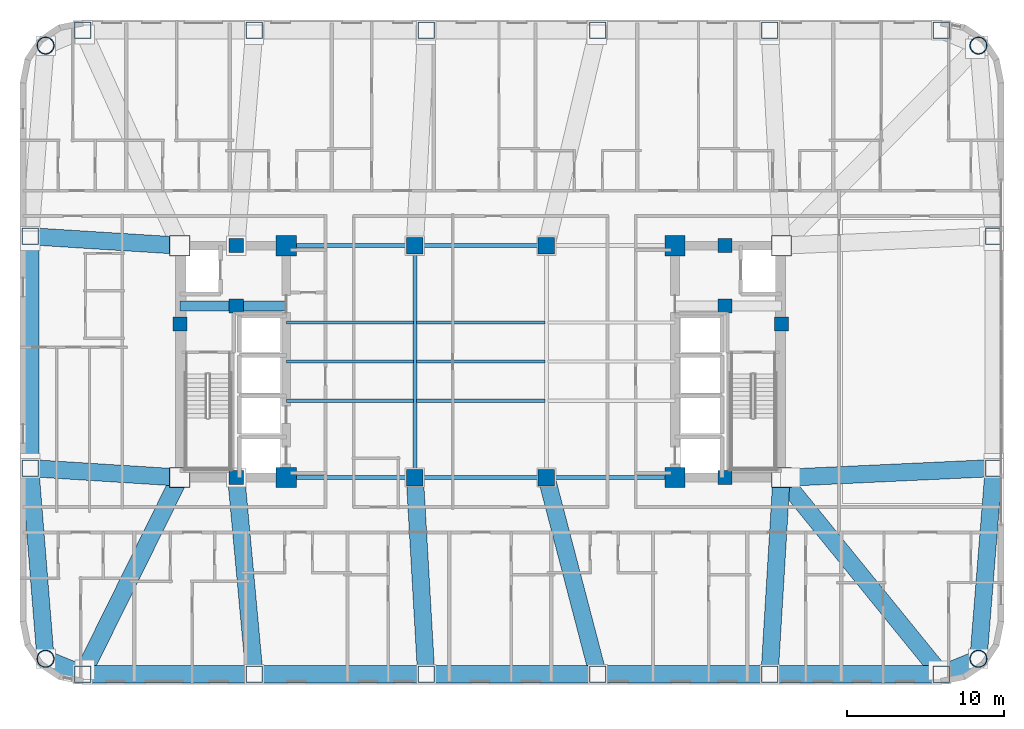
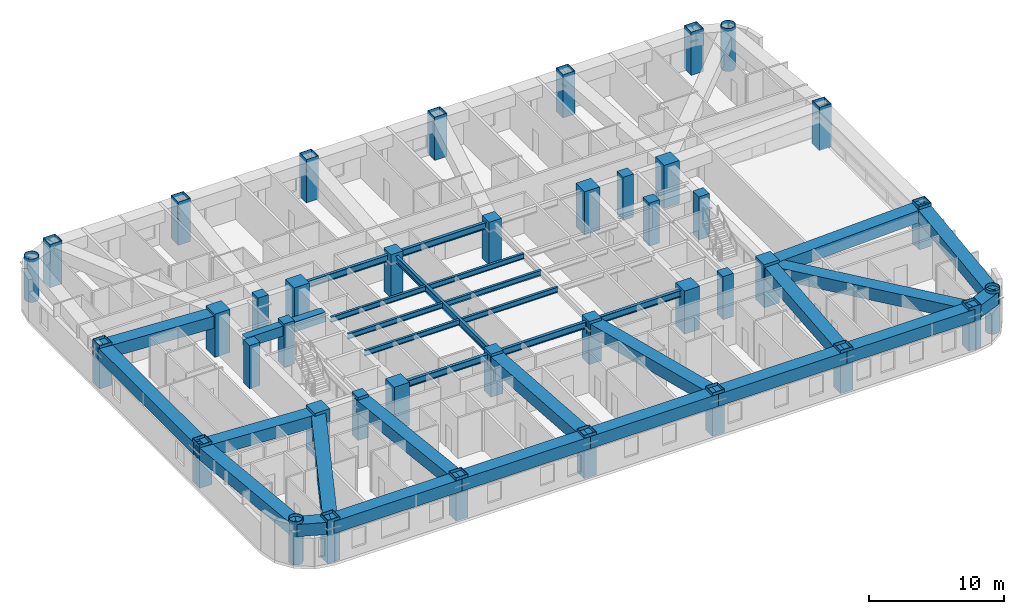
# One storey, part 1 of 16: 40 columns, 32 beams.
"""IFC4 building model written with IfcOpenShell, lengths in metres."""

import ifcopenshell
import ifcopenshell.guid

model = None  # the IFC model being written
_history = None  # IfcOwnerHistory: only IFC2X3 demands one
_inside = {}  # id of a spatial element -> (the spatial element, [elements in it])
_under = {}  # id of a project, library or spatial element -> (it, [spatial elements below it])
_declared = {}  # id of a project -> (the project, [libraries it declares])
_typed = {}  # id of a type object -> (the type object, [elements of that type])
_made_of = {}  # id of a material, layer set ... -> (it, [elements and type objects made of it])


def new_model(schema):
    """Start an empty IFC model of exactly this schema.

    Asked for "IFC4X3", IfcOpenShell would pick the latest addendum, in which some entities
    have other attributes; the version numbers below select the first issue.
    IFC2X3 requires an IfcOwnerHistory on every rooted entity: one is made here for all.
    """
    global model, _history
    if schema == "IFC4X3":
        model = ifcopenshell.file(schema_version=(4, 3, 0, 0))
    else:
        model = ifcopenshell.file(schema=schema)
    _inside.clear()
    _under.clear()
    _declared.clear()
    _typed.clear()
    _made_of.clear()
    _history = None
    if model.schema == "IFC2X3":
        org = make("IfcOrganization", Name="unknown")
        user = make(
            "IfcPersonAndOrganization",
            ThePerson=make("IfcPerson", FamilyName="unknown"),
            TheOrganization=org,
        )
        app = make(
            "IfcApplication",
            ApplicationDeveloper=org,
            Version="unknown",
            ApplicationFullName="unknown",
            ApplicationIdentifier="unknown",
        )
        _history = make(
            "IfcOwnerHistory",
            OwningUser=user,
            OwningApplication=app,
            ChangeAction="ADDED",
            CreationDate=0,
        )
    return model


def make(cls, **values):
    """One entity of the class cls with the attributes given. An attribute that is None is left unset."""
    return model.create_entity(
        cls, **{name: value for name, value in values.items() if value is not None}
    )


def rooted(cls, **values):
    """An entity with a GlobalId (a new one), such as an element, a storey or a relation."""
    return make(cls, GlobalId=ifcopenshell.guid.new(), OwnerHistory=_history, **values)


def si_unit(unit_type, name, prefix=None):
    """IfcSIUnit, for example si_unit("LENGTHUNIT", "METRE", prefix="MILLI")."""
    return make("IfcSIUnit", UnitType=unit_type, Prefix=prefix, Name=name)


def assignment(units):
    """IfcUnitAssignment: the units of a project."""
    return None if units is None else make("IfcUnitAssignment", Units=units)


def point(xyz):
    """IfcCartesianPoint."""
    return None if xyz is None else make("IfcCartesianPoint", Coordinates=xyz)


def direction(xyz):
    """IfcDirection."""
    return None if xyz is None else make("IfcDirection", DirectionRatios=xyz)


def frame(location, z_axis=None, x_axis=None):
    """IfcAxis2Placement3D, a coordinate frame: its origin and axes. An axis left out is left unset."""
    return make(
        "IfcAxis2Placement3D",
        Location=point(location),
        Axis=direction(z_axis),
        RefDirection=direction(x_axis),
    )


def frame_2d(location, x_axis=None):
    """IfcAxis2Placement2D, a coordinate frame in the plane: its origin and x axis."""
    return make(
        "IfcAxis2Placement2D", Location=point(location), RefDirection=direction(x_axis)
    )


def origin():
    """The frame at (0, 0, 0) with its axes left unset."""
    return frame((0.0, 0.0, 0.0))


def origin_2d():
    """The frame at (0, 0) in the plane with its x axis left unset."""
    return frame_2d((0.0, 0.0))


def place(relative_to, where):
    """IfcLocalPlacement: puts the frame where relative to a parent placement (None: the world)."""
    return make(
        "IfcLocalPlacement", PlacementRelTo=relative_to, RelativePlacement=where
    )


def context(
    kind, dimensions, precision=None, world=None, true_north=None, identifier=None
):
    """IfcGeometricRepresentationContext, for example the 3D "Model" context."""
    return make(
        "IfcGeometricRepresentationContext",
        ContextIdentifier=identifier,
        ContextType=kind,
        CoordinateSpaceDimension=dimensions,
        Precision=precision,
        WorldCoordinateSystem=world,
        TrueNorth=true_north,
    )


def subcontext(parent, identifier, kind, view, scale=None):
    """IfcGeometricRepresentationSubContext, for example "Body" below "Model"."""
    return make(
        "IfcGeometricRepresentationSubContext",
        ContextIdentifier=identifier,
        ContextType=kind,
        ParentContext=parent,
        TargetScale=scale,
        TargetView=view,
    )


def project(units=None, contexts=None):
    """IfcProject with its units and contexts."""
    return rooted(
        "IfcProject",
        Name="project",
        RepresentationContexts=contexts,
        UnitsInContext=assignment(units),
    )


def spatial(cls, under=None, at=None, **own):
    """A site, building, storey or space (cls), placed at a placement, below another one or the project."""
    s = rooted(cls, ObjectPlacement=at, **own)
    if under is not None:
        _under.setdefault(under.id(), (under, []))[1].append(s)
    return s


def profile(cls, at=None, kind="AREA", **sizes):
    """A parametric profile (cls). Its sizes go by their IFC names, for example OverallWidth=200.0."""
    return make(cls, ProfileType=kind, Position=at, **sizes)


def rectangle(**sizes):
    """IfcRectangleProfileDef."""
    return profile("IfcRectangleProfileDef", **sizes)


def hollow_rectangle(**sizes):
    """IfcRectangleHollowProfileDef."""
    return profile("IfcRectangleHollowProfileDef", **sizes)


def hollow_circle(**sizes):
    """IfcCircleHollowProfileDef."""
    return profile("IfcCircleHollowProfileDef", **sizes)


def i_section(**sizes):
    """IfcIShapeProfileDef."""
    return profile("IfcIShapeProfileDef", **sizes)


def extrude(swept, where, along, depth):
    """IfcExtrudedAreaSolid: the profile swept, set in the frame where, extruded along a direction by depth."""
    return make(
        "IfcExtrudedAreaSolid",
        SweptArea=swept,
        Position=where,
        ExtrudedDirection=direction(along),
        Depth=depth,
    )


def shape(context_of_items, identifier, shape_type, items):
    """IfcShapeRepresentation: the items that make up one representation, for example the "Body"."""
    return make(
        "IfcShapeRepresentation",
        ContextOfItems=context_of_items,
        RepresentationIdentifier=identifier,
        RepresentationType=shape_type,
        Items=items,
    )


def material(Name=None, Category=None):
    """IfcMaterial."""
    return make("IfcMaterial", Name=Name, Category=Category)


def material_profile(
    of_material, cross_section, Name=None, Category=None, Priority=None
):
    """IfcMaterialProfile: a cross section and its material."""
    return make(
        "IfcMaterialProfile",
        Name=Name,
        Material=of_material,
        Profile=cross_section,
        Priority=Priority,
        Category=Category,
    )


def profile_set(profiles, Name=None, composite=None):
    """IfcMaterialProfileSet."""
    return make(
        "IfcMaterialProfileSet",
        Name=Name,
        MaterialProfiles=profiles,
        CompositeProfile=composite,
    )


def made_of(thing, what):
    """Note that an element or type object is made of a material, layer set ...; save() writes the relation."""
    if what is not None:
        _made_of.setdefault(what.id(), (what, []))[1].append(thing)
    return thing


def type_object(cls, material=None, **own):
    """A type object (cls), such as IfcWallType, which elements share."""
    return made_of(rooted(cls, **own), material)


def element(
    cls,
    number,
    at=None,
    inside=None,
    cuts=None,
    type_object=None,
    material=None,
    context=None,
    identifier="Body",
    shape_type=None,
    held_by="IfcProductDefinitionShape",
    body=None,
    shapes=None,
    **own,
):
    """One element of the class cls, such as IfcWall. Its Tag is "e" and its number.

    at: its placement. inside: the storey or other place that contains it. cuts: it is an
    opening in that element (IfcRelVoidsElement). A single representation is given by context,
    identifier, shape_type and body (its items); several are given by shapes. held_by: the class
    of the entity that holds the representations. save() writes the other relations.
    """
    e = rooted(cls, Tag="e%d" % number, ObjectPlacement=at, **own)
    if body is not None:
        shapes = [shape(context, identifier, shape_type, body)]
    if shapes is not None:
        e.Representation = make(held_by, Representations=shapes)
    if inside is not None:
        _inside.setdefault(inside.id(), (inside, []))[1].append(e)
    if cuts is not None:
        rooted(
            "IfcRelVoidsElement", RelatingBuildingElement=cuts, RelatedOpeningElement=e
        )
    if type_object is not None:
        _typed.setdefault(type_object.id(), (type_object, []))[1].append(e)
    return made_of(e, material)


def aggregate(whole, parts):
    """IfcRelAggregates: a whole, such as a stair, and the parts it consists of."""
    return rooted("IfcRelAggregates", RelatingObject=whole, RelatedObjects=parts)


def save(model, path):
    """Write the relations noted so far, then the file.

    IfcRelAggregates (storeys below a building ...), IfcRelContainedInSpatialStructure (elements
    in a storey), IfcRelDefinesByType, IfcRelAssociatesMaterial and IfcRelDeclares: one each for
    every whole, place, type object, material and project.
    """
    for whole, parts in _under.values():
        aggregate(whole, parts)
    for where, things in _inside.values():
        rooted(
            "IfcRelContainedInSpatialStructure",
            RelatedElements=things,
            RelatingStructure=where,
        )
    for kind, things in _typed.values():
        rooted("IfcRelDefinesByType", RelatedObjects=things, RelatingType=kind)
    for what, things in _made_of.values():
        rooted("IfcRelAssociatesMaterial", RelatedObjects=things, RelatingMaterial=what)
    for by, libraries in _declared.values():
        rooted("IfcRelDeclares", RelatingContext=by, RelatedDefinitions=libraries)
    model.write(path)


model = new_model("IFC4")

# Units and contexts
model_context = context("Model", 3, precision=1e-05, world=origin(), true_north=direction((0.0, 1.0)))
body_context = subcontext(model_context, "Body", "Model", "MODEL_VIEW")
ifc_project = project(units=[si_unit("LENGTHUNIT", "METRE"), si_unit("AREAUNIT", "SQUARE_METRE"), si_unit("VOLUMEUNIT", "CUBIC_METRE"), si_unit("PLANEANGLEUNIT", "RADIAN"), si_unit("MASSUNIT", "GRAM", prefix="KILO")], contexts=[model_context])

# Site, building, storey
site_placement = place(None, origin())
site = spatial("IfcSite", under=ifc_project, at=site_placement, CompositionType="ELEMENT")
building_placement = place(site_placement, origin())
building = spatial("IfcBuilding", under=site, at=building_placement, Name="Voryun Gate Residences", CompositionType="ELEMENT")
storey_placement = place(building_placement, frame((0.0, 0.0, 89.699951171875)))
storey = spatial("IfcBuildingStorey", under=building, at=storey_placement, Name="L21", CompositionType="ELEMENT", Elevation=89.699951171875)

# Columns
ifc_material_1 = material(Name="Concrete C50/60", Category="concrete")
ifc_material_profile_1 = material_profile(ifc_material_1, rectangle(XDim=1.050048828125, YDim=1.050048828125, at=origin_2d()), Name="RC-1050x1050")
ifc_profile_set_1 = profile_set([ifc_material_profile_1], Name="Concrete C50/60")
column_type_1 = type_object("IfcColumnType", Name="COL_CORE_1050", PredefinedType="COLUMN", material=ifc_profile_set_1)
for number, where, z_axis, x_axis, name in (
    (1, (-4.199951171875, -7.39990234375, 0.0), (0.0, 0.0, 1.0), (1.0, 0.0, 0.0), "L21 Interior spine column SP-WS"),
    (2, (-4.199951171875, 7.39990234375, 0.0), (0.0, 0.0, 1.0), (1.0, 0.0, 0.0), "L21 Interior spine column SP-WN"),
    (3, (4.199951171875, -7.39990234375, 0.0), (0.0, 0.0, 1.0), (1.0, 0.0, 0.0), "L21 Interior spine column SP-ES"),
    (4, (4.199951171875, 7.39990234375, 0.0), (0.0, 0.0, 1.0), (1.0, 0.0, 0.0), "L21 Interior spine column SP-EN"),
):
    element("IfcColumn", number, at=place(storey_placement, frame(where, z_axis=z_axis, x_axis=x_axis)), inside=storey, type_object=column_type_1, Name=name, PredefinedType="COLUMN", context=body_context, shape_type="SweptSolid", body=[
        extrude(rectangle(XDim=1.050048828125, YDim=1.050048828125, at=origin_2d()), origin(), (0.0, 0.0, 1.0), 3.900146484375),
    ])
ifc_material_2 = material(Name="Concrete C50/60", Category="concrete")
ifc_material_profile_2 = material_profile(ifc_material_2, rectangle(XDim=0.89990234375, YDim=0.89990234375, at=origin_2d()), Name="RC-900x900")
ifc_profile_set_2 = profile_set([ifc_material_profile_2], Name="Concrete C50/60")
column_type_2 = type_object("IfcColumnType", Name="COL_CORE_900", PredefinedType="COLUMN", material=ifc_profile_set_2)
for number, where, z_axis, x_axis, name in (
    (5, (-19.199951171875, 2.39990234375, 0.0), (0.0, 0.0, 1.0), (1.0, 0.0, 0.0), "L21 Core boundary column WC-MW"),
    (6, (-15.60009765625, -7.39990234375, 0.0), (0.0, 0.0, 1.0), (1.0, 0.0, 0.0), "L21 Core boundary column WC-SM"),
    (7, (-15.60009765625, 7.39990234375, 0.0), (0.0, 0.0, 1.0), (1.0, 0.0, 0.0), "L21 Core boundary column WC-NM"),
    (8, (-15.60009765625, 3.550048828125, 0.0), (0.0, 0.0, 1.0), (1.0, 0.0, 0.0), "L21 Core boundary column WC-MM"),
    (9, (15.60009765625, 3.550048828125, 0.0), (0.0, 0.0, 1.0), (1.0, 0.0, 0.0), "L21 Core boundary column EC-MM"),
    (10, (15.60009765625, -7.39990234375, 0.0), (0.0, 0.0, 1.0), (1.0, 0.0, 0.0), "L21 Core boundary column EC-SM"),
    (11, (15.60009765625, 7.39990234375, 0.0), (0.0, 0.0, 1.0), (1.0, 0.0, 0.0), "L21 Core boundary column EC-NM"),
    (12, (19.199951171875, 2.39990234375, 0.0), (0.0, 0.0, 1.0), (1.0, 0.0, 0.0), "L21 Core boundary column EC-ME"),
):
    element("IfcColumn", number, at=place(storey_placement, frame(where, z_axis=z_axis, x_axis=x_axis)), inside=storey, type_object=column_type_2, Name=name, PredefinedType="COLUMN", context=body_context, shape_type="SweptSolid", body=[
        extrude(rectangle(XDim=0.89990234375, YDim=0.89990234375, at=origin_2d()), origin(), (0.0, 0.0, 1.0), 3.900146484375),
    ])
ifc_material_3 = material(Name="Steel SM420", Category="steel")
ifc_material_profile_3 = material_profile(ifc_material_3, hollow_circle(Radius=0.550048828125, WallThickness=0.035888671875, at=origin_2d()), Name="CHS-1100x36")
ifc_profile_set_3 = profile_set([ifc_material_profile_3], Name="Steel SM420")
column_type_3 = type_object("IfcColumnType", Name="COL_CRN_1100", PredefinedType="COLUMN", material=ifc_profile_set_3)
for number, where, z_axis, x_axis, name in (
    (13, (31.768798828125, -18.96875, 0.0), (0.0, 0.0, 1.0), (1.0, 0.0, 0.0), "L21 Exoskeleton column CSE"),
    (14, (31.768798828125, 20.168701171875, 0.0), (0.0, 0.0, 1.0), (1.0, 0.0, 0.0), "L21 Exoskeleton column CNE"),
    (15, (-27.768798828125, 20.168701171875, 0.0), (0.0, 0.0, 1.0), (1.0, 0.0, 0.0), "L21 Exoskeleton column CNW"),
    (16, (-27.768798828125, -18.96875, 0.0), (0.0, 0.0, 1.0), (1.0, 0.0, 0.0), "L21 Exoskeleton column CSW"),
):
    element("IfcColumn", number, at=place(storey_placement, frame(where, z_axis=z_axis, x_axis=x_axis)), inside=storey, type_object=column_type_3, Name=name, PredefinedType="COLUMN", context=body_context, shape_type="SweptSolid", body=[
        extrude(hollow_circle(Radius=0.550048828125, WallThickness=0.035888671875, at=origin_2d()), origin(), (0.0, 0.0, 1.0), 3.900146484375),
    ])
ifc_material_4 = material(Name="Steel SM420", Category="steel")
ifc_material_profile_4 = material_profile(ifc_material_4, hollow_rectangle(XDim=1.050048828125, YDim=1.050048828125, WallThickness=0.035888671875, at=origin_2d()), Name="BOX-1050x1050x36")
ifc_profile_set_4 = profile_set([ifc_material_profile_4], Name="Steel SM420")
column_type_4 = type_object("IfcColumnType", Name="COL_EXO_B2", PredefinedType="COLUMN", material=ifc_profile_set_4)
for number, where, z_axis, x_axis, name in (
    (17, (-25.39990234375, -19.949951171875, 0.0), (0.0, 0.0, 1.0), (1.0, 0.0, 0.0), "L21 Exoskeleton column S1"),
    (18, (-14.43994140625, -19.949951171875, 0.0), (0.0, 0.0, 1.0), (1.0, 0.0, 0.0), "L21 Exoskeleton column S2"),
    (19, (-3.47998046875, -19.949951171875, 0.0), (0.0, 0.0, 1.0), (1.0, 0.0, 0.0), "L21 Exoskeleton column S3"),
    (20, (7.47998046875, -19.949951171875, 0.0), (0.0, 0.0, 1.0), (1.0, 0.0, 0.0), "L21 Exoskeleton column S4"),
    (21, (18.43994140625, -19.949951171875, 0.0), (0.0, 0.0, 1.0), (1.0, 0.0, 0.0), "L21 Exoskeleton column S5"),
    (22, (29.39990234375, -19.949951171875, 0.0), (0.0, 0.0, 1.0), (1.0, 0.0, 0.0), "L21 Exoskeleton column S6"),
    (23, (32.75, -6.798095703125, 0.0), (0.0, 0.0, 1.0), (1.0, 0.0, 0.0), "L21 Exoskeleton column E1"),
    (24, (32.75, 7.998046875, 0.0), (0.0, 0.0, 1.0), (1.0, 0.0, 0.0), "L21 Exoskeleton column E2"),
    (25, (29.39990234375, 21.14990234375, 0.0), (0.0, 0.0, 1.0), (1.0, 0.0, 0.0), "L21 Exoskeleton column N1"),
    (26, (18.43994140625, 21.14990234375, 0.0), (0.0, 0.0, 1.0), (1.0, 0.0, 0.0), "L21 Exoskeleton column N2"),
    (27, (7.47998046875, 21.14990234375, 0.0), (0.0, 0.0, 1.0), (1.0, 0.0, 0.0), "L21 Exoskeleton column N3"),
    (28, (-3.47998046875, 21.14990234375, 0.0), (0.0, 0.0, 1.0), (1.0, 0.0, 0.0), "L21 Exoskeleton column N4"),
    (29, (-14.43994140625, 21.14990234375, 0.0), (0.0, 0.0, 1.0), (1.0, 0.0, 0.0), "L21 Exoskeleton column N5"),
    (30, (-25.39990234375, 21.14990234375, 0.0), (0.0, 0.0, 1.0), (1.0, 0.0, 0.0), "L21 Exoskeleton column N6"),
    (31, (-28.75, 7.998046875, 0.0), (0.0, 0.0, 1.0), (1.0, 0.0, 0.0), "L21 Exoskeleton column W1"),
    (32, (-28.75, -6.798095703125, 0.0), (0.0, 0.0, 1.0), (1.0, 0.0, 0.0), "L21 Exoskeleton column W2"),
):
    element("IfcColumn", number, at=place(storey_placement, frame(where, z_axis=z_axis, x_axis=x_axis)), inside=storey, type_object=column_type_4, Name=name, PredefinedType="COLUMN", context=body_context, shape_type="SweptSolid", body=[
        extrude(hollow_rectangle(XDim=1.050048828125, YDim=1.050048828125, WallThickness=0.035888671875, at=origin_2d()), origin(), (0.0, 0.0, 1.0), 3.900146484375),
    ])
ifc_material_5 = material(Name="Concrete C60/75", Category="concrete")
ifc_material_profile_5 = material_profile(ifc_material_5, rectangle(XDim=1.300048828125, YDim=1.300048828125, at=origin_2d()), Name="RC-1300x1300")
ifc_profile_set_5 = profile_set([ifc_material_profile_5], Name="Concrete C60/75")
column_type_5 = type_object("IfcColumnType", Name="COL_MEGA_1300", PredefinedType="COLUMN", material=ifc_profile_set_5)
for number, where, z_axis, x_axis, name in (
    (33, (-19.199951171875, -7.39990234375, 0.0), (0.0, 0.0, 1.0), (1.0, 0.0, 0.0), "L21 Core boundary column WC-SW"),
    (34, (-19.199951171875, 7.39990234375, 0.0), (0.0, 0.0, 1.0), (1.0, 0.0, 0.0), "L21 Core boundary column WC-NW"),
    (35, (-12.39990234375, -7.39990234375, 0.0), (0.0, 0.0, 1.0), (1.0, 0.0, 0.0), "L21 Core boundary column WC-SE"),
    (36, (-12.39990234375, 7.39990234375, 0.0), (0.0, 0.0, 1.0), (1.0, 0.0, 0.0), "L21 Core boundary column WC-NE"),
    (37, (12.39990234375, -7.39990234375, 0.0), (0.0, 0.0, 1.0), (1.0, 0.0, 0.0), "L21 Core boundary column EC-SW"),
    (38, (12.39990234375, 7.39990234375, 0.0), (0.0, 0.0, 1.0), (1.0, 0.0, 0.0), "L21 Core boundary column EC-NW"),
    (39, (19.199951171875, -7.39990234375, 0.0), (0.0, 0.0, 1.0), (1.0, 0.0, 0.0), "L21 Core boundary column EC-SE"),
    (40, (19.199951171875, 7.39990234375, 0.0), (0.0, 0.0, 1.0), (1.0, 0.0, 0.0), "L21 Core boundary column EC-NE"),
):
    element("IfcColumn", number, at=place(storey_placement, frame(where, z_axis=z_axis, x_axis=x_axis)), inside=storey, type_object=column_type_5, Name=name, PredefinedType="COLUMN", context=body_context, shape_type="SweptSolid", body=[
        extrude(rectangle(XDim=1.300048828125, YDim=1.300048828125, at=origin_2d()), origin(), (0.0, 0.0, 1.0), 3.900146484375),
    ])

# Beams
ifc_material_6 = material(Name="Steel SM420", Category="steel")
ifc_material_profile_6 = material_profile(ifc_material_6, hollow_rectangle(XDim=1.10009765625, YDim=1.10009765625, WallThickness=0.035888671875, at=origin_2d()), Name="BOX-1100x1100x36")
ifc_profile_set_6 = profile_set([ifc_material_profile_6], Name="Steel SM420")
beam_type_1 = type_object("IfcBeamType", Name="BM_ARCH_RIB", PredefinedType="USERDEFINED", material=ifc_profile_set_6)
for number, where, z_axis, x_axis, name in (
    (41, (-25.39990234375, -19.949951171875, 3.10009765625), (1.0, 0.0, 0.0), (0.0, 1.0, 0.0), "BM-L21-SPAND-01"),
    (42, (-14.43994140625, -19.949951171875, 3.10009765625), (1.0, 0.0, 0.0), (0.0, 1.0, 0.0), "BM-L21-SPAND-02"),
    (43, (-3.47998046875, -19.949951171875, 3.10009765625), (1.0, 0.0, 0.0), (0.0, 1.0, 0.0), "BM-L21-SPAND-03"),
    (44, (7.47998046875, -19.949951171875, 3.10009765625), (1.0, 0.0, 0.0), (0.0, 1.0, 0.0), "BM-L21-SPAND-04"),
    (45, (18.43994140625, -19.949951171875, 3.10009765625), (1.0, 0.0, 0.0), (0.0, 1.0, 0.0), "BM-L21-SPAND-05"),
):
    element("IfcBeam", number, at=place(storey_placement, frame(where, z_axis=z_axis, x_axis=x_axis)), inside=storey, type_object=beam_type_1, Name=name, ObjectType="GIRDER", PredefinedType="USERDEFINED", context=body_context, shape_type="SweptSolid", body=[
        extrude(hollow_rectangle(XDim=1.10009765625, YDim=1.10009765625, WallThickness=0.035888671875, at=origin_2d()), origin(), (0.0, 0.0, 1.0), 10.9599609375),
    ])
beam_1_placement = place(storey_placement, frame((29.39990234375, -19.949951171875, 3.10009765625), z_axis=(0.923883376753, 0.382674151414, 0.0), x_axis=(-0.382674151414, 0.923883376753, 0.0)))
element("IfcBeam", 46, at=beam_1_placement, inside=storey, type_object=beam_type_1, Name="BM-L21-SPAND-06", ObjectType="GIRDER", PredefinedType="USERDEFINED", context=body_context, shape_type="SweptSolid", body=[
    extrude(hollow_rectangle(XDim=1.10009765625, YDim=1.10009765625, WallThickness=0.035888671875, at=origin_2d()), origin(), (0.0, 0.0, 1.0), 2.56396484375),
])
beam_2_placement = place(storey_placement, frame((31.768798828125, -18.96875, 3.10009765625), z_axis=(0.080359517973, 0.996765944378, 0.0), x_axis=(-0.996765944378, 0.080359517973, 0.0)))
element("IfcBeam", 47, at=beam_2_placement, inside=storey, type_object=beam_type_1, Name="BM-L21-SPAND-07", ObjectType="GIRDER", PredefinedType="USERDEFINED", context=body_context, shape_type="SweptSolid", body=[
    extrude(hollow_rectangle(XDim=1.10009765625, YDim=1.10009765625, WallThickness=0.035888671875, at=origin_2d()), origin(), (0.0, 0.0, 1.0), 12.210205078125),
])
beam_3_placement = place(storey_placement, frame((-28.75, 7.697998046875, 3.10009765625), z_axis=(0.0, -1.0, 0.0), x_axis=(1.0, 0.0, 0.0)))
element("IfcBeam", 48, at=beam_3_placement, inside=storey, type_object=beam_type_1, Name="BM-L21-SPAND-18", ObjectType="GIRDER", PredefinedType="USERDEFINED", context=body_context, shape_type="SweptSolid", body=[
    extrude(hollow_rectangle(XDim=1.10009765625, YDim=1.10009765625, WallThickness=0.035888671875, at=origin_2d()), origin(), (0.0, 0.0, 1.0), 14.196044921875),
])
beam_4_placement = place(storey_placement, frame((-28.75, -6.798095703125, 3.10009765625), z_axis=(0.080359517973, -0.996765944378, 0.0), x_axis=(0.996765944378, 0.080359517973, 0.0)))
element("IfcBeam", 49, at=beam_4_placement, inside=storey, type_object=beam_type_1, Name="BM-L21-SPAND-19", ObjectType="GIRDER", PredefinedType="USERDEFINED", context=body_context, shape_type="SweptSolid", body=[
    extrude(hollow_rectangle(XDim=1.10009765625, YDim=1.10009765625, WallThickness=0.035888671875, at=origin_2d()), origin(), (0.0, 0.0, 1.0), 12.210205078125),
])
beam_5_placement = place(storey_placement, frame((-27.768798828125, -18.96875, 3.10009765625), z_axis=(0.923883376753, -0.382674151414, 0.0), x_axis=(0.382674151414, 0.923883376753, 0.0)))
element("IfcBeam", 50, at=beam_5_placement, inside=storey, type_object=beam_type_1, Name="BM-L21-SPAND-20", ObjectType="GIRDER", PredefinedType="USERDEFINED", context=body_context, shape_type="SweptSolid", body=[
    extrude(hollow_rectangle(XDim=1.10009765625, YDim=1.10009765625, WallThickness=0.035888671875, at=origin_2d()), origin(), (0.0, 0.0, 1.0), 2.56396484375),
])
beam_6_placement = place(storey_placement, frame((-19.199951171875, -7.39990234375, 3.10009765625), z_axis=(-0.442923772333, -0.89655927406, 0.0), x_axis=(0.89655927406, -0.442923772333, 0.0)))
element("IfcBeam", 51, at=beam_6_placement, inside=storey, type_object=beam_type_1, Name="BM-L21-RAD-S1", ObjectType="GIRDER", PredefinedType="USERDEFINED", context=body_context, shape_type="SweptSolid", body=[
    extrude(hollow_rectangle(XDim=1.10009765625, YDim=1.10009765625, WallThickness=0.035888671875, at=origin_2d()), origin(), (0.0, 0.0, 1.0), 13.697998046875),
])
beam_7_placement = place(storey_placement, frame((-15.60009765625, -7.39990234375, 3.10009765625), z_axis=(0.092049895705, -0.995754395773, 0.0), x_axis=(0.995754395773, 0.092049895705, 0.0)))
element("IfcBeam", 52, at=beam_7_placement, inside=storey, type_object=beam_type_1, Name="BM-L21-RAD-S2", ObjectType="GIRDER", PredefinedType="USERDEFINED", context=body_context, shape_type="SweptSolid", body=[
    extrude(hollow_rectangle(XDim=1.10009765625, YDim=1.10009765625, WallThickness=0.035888671875, at=origin_2d()), origin(), (0.0, 0.0, 1.0), 12.603515625),
])
beam_8_placement = place(storey_placement, frame((-4.199951171875, -7.39990234375, 3.10009765625), z_axis=(0.057273791334, -0.998358509167, 0.0), x_axis=(0.998358509167, 0.057273791334, 0.0)))
element("IfcBeam", 53, at=beam_8_placement, inside=storey, type_object=beam_type_1, Name="BM-L21-RAD-S3", ObjectType="GIRDER", PredefinedType="USERDEFINED", context=body_context, shape_type="SweptSolid", body=[
    extrude(hollow_rectangle(XDim=1.10009765625, YDim=1.10009765625, WallThickness=0.035888671875, at=origin_2d()), origin(), (0.0, 0.0, 1.0), 12.57080078125),
])
beam_9_placement = place(storey_placement, frame((4.199951171875, -7.39990234375, 3.10009765625), z_axis=(0.252862419611, -0.967502246379, 0.0), x_axis=(0.967502246379, 0.252862419611, 0.0)))
element("IfcBeam", 54, at=beam_9_placement, inside=storey, type_object=beam_type_1, Name="BM-L21-RAD-S4", ObjectType="GIRDER", PredefinedType="USERDEFINED", context=body_context, shape_type="SweptSolid", body=[
    extrude(hollow_rectangle(XDim=1.10009765625, YDim=1.10009765625, WallThickness=0.035888671875, at=origin_2d()), origin(), (0.0, 0.0, 1.0), 12.9716796875),
])
beam_10_placement = place(storey_placement, frame((19.199951171875, -7.39990234375, 3.10009765625), z_axis=(-0.060447572917, -0.998171373527, 0.0), x_axis=(0.998171373527, -0.060447572917, 0.0)))
element("IfcBeam", 55, at=beam_10_placement, inside=storey, type_object=beam_type_1, Name="BM-L21-RAD-S5", ObjectType="GIRDER", PredefinedType="USERDEFINED", context=body_context, shape_type="SweptSolid", body=[
    extrude(hollow_rectangle(XDim=1.10009765625, YDim=1.10009765625, WallThickness=0.035888671875, at=origin_2d()), origin(), (0.0, 0.0, 1.0), 12.572998046875),
])
beam_11_placement = place(storey_placement, frame((19.199951171875, -7.39990234375, 3.10009765625), z_axis=(0.630701483453, -0.776025540025, 0.0), x_axis=(0.776025540025, 0.630701483453, 0.0)))
element("IfcBeam", 56, at=beam_11_placement, inside=storey, type_object=beam_type_1, Name="BM-L21-RAD-S6", ObjectType="GIRDER", PredefinedType="USERDEFINED", context=body_context, shape_type="SweptSolid", body=[
    extrude(hollow_rectangle(XDim=1.10009765625, YDim=1.10009765625, WallThickness=0.035888671875, at=origin_2d()), origin(), (0.0, 0.0, 1.0), 15.872314453125),
])
beam_12_placement = place(storey_placement, frame((19.75, -7.39990234375, 3.10009765625), z_axis=(0.998930206616, 0.046243294759, 0.0), x_axis=(-0.046243294759, 0.998930206616, 0.0)))
element("IfcBeam", 57, at=beam_12_placement, inside=storey, type_object=beam_type_1, Name="BM-L21-RAD-E1", ObjectType="GIRDER", PredefinedType="USERDEFINED", context=body_context, shape_type="SweptSolid", body=[
    extrude(hollow_rectangle(XDim=1.10009765625, YDim=1.10009765625, WallThickness=0.035888671875, at=origin_2d()), origin(), (0.0, 0.0, 1.0), 13.013916015625),
])
beam_13_placement = place(storey_placement, frame((-19.199951171875, 7.39990234375, 3.10009765625), z_axis=(-0.998044329736, 0.062510126233, 0.0), x_axis=(-0.062510126233, -0.998044329736, 0.0)))
element("IfcBeam", 58, at=beam_13_placement, inside=storey, type_object=beam_type_1, Name="BM-L21-RAD-W1", ObjectType="GIRDER", PredefinedType="USERDEFINED", context=body_context, shape_type="SweptSolid", body=[
    extrude(hollow_rectangle(XDim=1.10009765625, YDim=1.10009765625, WallThickness=0.035888671875, at=origin_2d()), origin(), (0.0, 0.0, 1.0), 9.56884765625),
])
beam_14_placement = place(storey_placement, frame((-19.199951171875, -7.39990234375, 3.10009765625), z_axis=(-0.998020380726, 0.062891332119, 0.0), x_axis=(-0.062891332119, -0.998020380726, 0.0)))
element("IfcBeam", 59, at=beam_14_placement, inside=storey, type_object=beam_type_1, Name="BM-L21-RAD-W2", ObjectType="GIRDER", PredefinedType="USERDEFINED", context=body_context, shape_type="SweptSolid", body=[
    extrude(hollow_rectangle(XDim=1.10009765625, YDim=1.10009765625, WallThickness=0.035888671875, at=origin_2d()), origin(), (0.0, 0.0, 1.0), 9.569091796875),
])
ifc_material_7 = material(Name="Concrete C60/75", Category="concrete")
ifc_material_profile_7 = material_profile(ifc_material_7, rectangle(XDim=0.64990234375, YDim=0.89990234375, at=origin_2d()), Name="RC-650x900")
ifc_profile_set_7 = profile_set([ifc_material_profile_7], Name="Concrete C60/75")
beam_type_2 = type_object("IfcBeamType", Name="BM_COUP_RC900", PredefinedType="LINTEL", material=ifc_profile_set_7)
beam_15_placement = place(storey_placement, frame((-19.199951171875, 3.550048828125, 3.199951171875), z_axis=(1.0, 0.0, 0.0), x_axis=(0.0, 1.0, 0.0)))
element("IfcBeam", 60, at=beam_15_placement, inside=storey, type_object=beam_type_2, Name="BM-L21-WC1", PredefinedType="LINTEL", context=body_context, shape_type="SweptSolid", body=[
    extrude(rectangle(XDim=0.64990234375, YDim=0.89990234375, at=origin_2d()), origin(), (0.0, 0.0, 1.0), 6.800048828125),
])
ifc_material_8 = material(Name="Steel SM355", Category="steel")
ifc_material_profile_8 = material_profile(ifc_material_8, i_section(OverallWidth=0.25, OverallDepth=0.60009765625, WebThickness=0.011962890625, FlangeThickness=0.02197265625, FilletRadius=0.01806640625, at=origin_2d()), Name="H-600x250x12x22")
ifc_profile_set_8 = profile_set([ifc_material_profile_8], Name="Steel SM355")
beam_type_3 = type_object("IfcBeamType", Name="BM_GIRD_600", PredefinedType="USERDEFINED", material=ifc_profile_set_8)
beam_16_placement = place(storey_placement, frame((-12.39990234375, -7.39990234375, 3.35009765625), z_axis=(1.0, 0.0, 0.0), x_axis=(0.0, 1.0, 0.0)))
element("IfcBeam", 61, at=beam_16_placement, inside=storey, type_object=beam_type_3, Name="BM-L21-SPG1-S", ObjectType="GIRDER", PredefinedType="USERDEFINED", context=body_context, shape_type="SweptSolid", body=[
    extrude(i_section(OverallWidth=0.25, OverallDepth=0.60009765625, WebThickness=0.011962890625, FlangeThickness=0.02197265625, FilletRadius=0.01806640625, at=origin_2d()), origin(), (0.0, 0.0, 1.0), 8.199951171875),
])
beam_17_placement = place(storey_placement, frame((-4.199951171875, -7.39990234375, 3.35009765625), z_axis=(1.0, 0.0, 0.0), x_axis=(0.0, 1.0, 0.0)))
element("IfcBeam", 62, at=beam_17_placement, inside=storey, type_object=beam_type_3, Name="BM-L21-SPG2-S", ObjectType="GIRDER", PredefinedType="USERDEFINED", context=body_context, shape_type="SweptSolid", body=[
    extrude(i_section(OverallWidth=0.25, OverallDepth=0.60009765625, WebThickness=0.011962890625, FlangeThickness=0.02197265625, FilletRadius=0.01806640625, at=origin_2d()), origin(), (0.0, 0.0, 1.0), 8.39990234375),
])
for number, where, z_axis, x_axis, name in (
    (63, (4.199951171875, -7.39990234375, 3.35009765625), (1.0, 0.0, 0.0), (0.0, 1.0, 0.0), "BM-L21-SPG3-S"),
    (64, (-12.39990234375, 7.39990234375, 3.35009765625), (1.0, 0.0, 0.0), (0.0, 1.0, 0.0), "BM-L21-SPG1-N"),
):
    element("IfcBeam", number, at=place(storey_placement, frame(where, z_axis=z_axis, x_axis=x_axis)), inside=storey, type_object=beam_type_3, Name=name, ObjectType="GIRDER", PredefinedType="USERDEFINED", context=body_context, shape_type="SweptSolid", body=[
        extrude(i_section(OverallWidth=0.25, OverallDepth=0.60009765625, WebThickness=0.011962890625, FlangeThickness=0.02197265625, FilletRadius=0.01806640625, at=origin_2d()), origin(), (0.0, 0.0, 1.0), 8.199951171875),
    ])
beam_18_placement = place(storey_placement, frame((-4.199951171875, 7.39990234375, 3.35009765625), z_axis=(1.0, 0.0, 0.0), x_axis=(0.0, 1.0, 0.0)))
element("IfcBeam", 65, at=beam_18_placement, inside=storey, type_object=beam_type_3, Name="BM-L21-SPG2-N", ObjectType="GIRDER", PredefinedType="USERDEFINED", context=body_context, shape_type="SweptSolid", body=[
    extrude(i_section(OverallWidth=0.25, OverallDepth=0.60009765625, WebThickness=0.011962890625, FlangeThickness=0.02197265625, FilletRadius=0.01806640625, at=origin_2d()), origin(), (0.0, 0.0, 1.0), 8.39990234375),
])
beam_19_placement = place(storey_placement, frame((-4.199951171875, -7.39990234375, 3.35009765625), z_axis=(0.0, 1.0, 0.0), x_axis=(-1.0, 0.0, 0.0)))
element("IfcBeam", 66, at=beam_19_placement, inside=storey, type_object=beam_type_3, Name="BM-L21-SPX-W", ObjectType="GIRDER", PredefinedType="USERDEFINED", context=body_context, shape_type="SweptSolid", body=[
    extrude(i_section(OverallWidth=0.25, OverallDepth=0.60009765625, WebThickness=0.011962890625, FlangeThickness=0.02197265625, FilletRadius=0.01806640625, at=origin_2d()), origin(), (0.0, 0.0, 1.0), 14.7998046875),
])
ifc_material_9 = material(Name="Steel SM355", Category="steel")
ifc_material_profile_9 = material_profile(ifc_material_9, i_section(OverallWidth=0.199951171875, OverallDepth=0.47998046875, WebThickness=0.010009765625, FlangeThickness=0.01806640625, FilletRadius=0.01806640625, at=origin_2d()), Name="H-480x200x10x18")
ifc_profile_set_9 = profile_set([ifc_material_profile_9], Name="Steel SM355")
beam_type_4 = type_object("IfcBeamType", Name="BM_SEC_480", PredefinedType="BEAM", material=ifc_profile_set_9)
beam_20_placement = place(storey_placement, frame((-12.39990234375, -2.5, 3.41015625), z_axis=(1.0, 0.0, 0.0), x_axis=(0.0, 1.0, 0.0)))
element("IfcBeam", 67, at=beam_20_placement, inside=storey, type_object=beam_type_4, Name="BM-L21-SEC-CS1", PredefinedType="BEAM", context=body_context, shape_type="SweptSolid", body=[
    extrude(i_section(OverallWidth=0.199951171875, OverallDepth=0.47998046875, WebThickness=0.010009765625, FlangeThickness=0.01806640625, FilletRadius=0.01806640625, at=origin_2d()), origin(), (0.0, 0.0, 1.0), 8.099853515625),
])
beam_21_placement = place(storey_placement, frame((-4.10009765625, -2.5, 3.41015625), z_axis=(1.0, 0.0, 0.0), x_axis=(0.0, 1.0, 0.0)))
element("IfcBeam", 68, at=beam_21_placement, inside=storey, type_object=beam_type_4, Name="BM-L21-SEC-CS2", PredefinedType="BEAM", context=body_context, shape_type="SweptSolid", body=[
    extrude(i_section(OverallWidth=0.199951171875, OverallDepth=0.47998046875, WebThickness=0.010009765625, FlangeThickness=0.01806640625, FilletRadius=0.01806640625, at=origin_2d()), origin(), (0.0, 0.0, 1.0), 8.2001953125),
])
beam_22_placement = place(storey_placement, frame((-12.39990234375, 0.0, 3.41015625), z_axis=(1.0, 0.0, 0.0), x_axis=(0.0, 1.0, 0.0)))
element("IfcBeam", 69, at=beam_22_placement, inside=storey, type_object=beam_type_4, Name="BM-L21-SEC-CM1", PredefinedType="BEAM", context=body_context, shape_type="SweptSolid", body=[
    extrude(i_section(OverallWidth=0.199951171875, OverallDepth=0.47998046875, WebThickness=0.010009765625, FlangeThickness=0.01806640625, FilletRadius=0.01806640625, at=origin_2d()), origin(), (0.0, 0.0, 1.0), 8.099853515625),
])
beam_23_placement = place(storey_placement, frame((-4.10009765625, 0.0, 3.41015625), z_axis=(1.0, 0.0, 0.0), x_axis=(0.0, 1.0, 0.0)))
element("IfcBeam", 70, at=beam_23_placement, inside=storey, type_object=beam_type_4, Name="BM-L21-SEC-CM2", PredefinedType="BEAM", context=body_context, shape_type="SweptSolid", body=[
    extrude(i_section(OverallWidth=0.199951171875, OverallDepth=0.47998046875, WebThickness=0.010009765625, FlangeThickness=0.01806640625, FilletRadius=0.01806640625, at=origin_2d()), origin(), (0.0, 0.0, 1.0), 8.2001953125),
])
beam_24_placement = place(storey_placement, frame((-12.39990234375, 2.5, 3.41015625), z_axis=(1.0, 0.0, 0.0), x_axis=(0.0, 1.0, 0.0)))
element("IfcBeam", 71, at=beam_24_placement, inside=storey, type_object=beam_type_4, Name="BM-L21-SEC-CN1", PredefinedType="BEAM", context=body_context, shape_type="SweptSolid", body=[
    extrude(i_section(OverallWidth=0.199951171875, OverallDepth=0.47998046875, WebThickness=0.010009765625, FlangeThickness=0.01806640625, FilletRadius=0.01806640625, at=origin_2d()), origin(), (0.0, 0.0, 1.0), 8.099853515625),
])
beam_25_placement = place(storey_placement, frame((-4.10009765625, 2.5, 3.41015625), z_axis=(1.0, 0.0, 0.0), x_axis=(0.0, 1.0, 0.0)))
element("IfcBeam", 72, at=beam_25_placement, inside=storey, type_object=beam_type_4, Name="BM-L21-SEC-CN2", PredefinedType="BEAM", context=body_context, shape_type="SweptSolid", body=[
    extrude(i_section(OverallWidth=0.199951171875, OverallDepth=0.47998046875, WebThickness=0.010009765625, FlangeThickness=0.01806640625, FilletRadius=0.01806640625, at=origin_2d()), origin(), (0.0, 0.0, 1.0), 8.2001953125),
])

save(model, "model.ifc")
